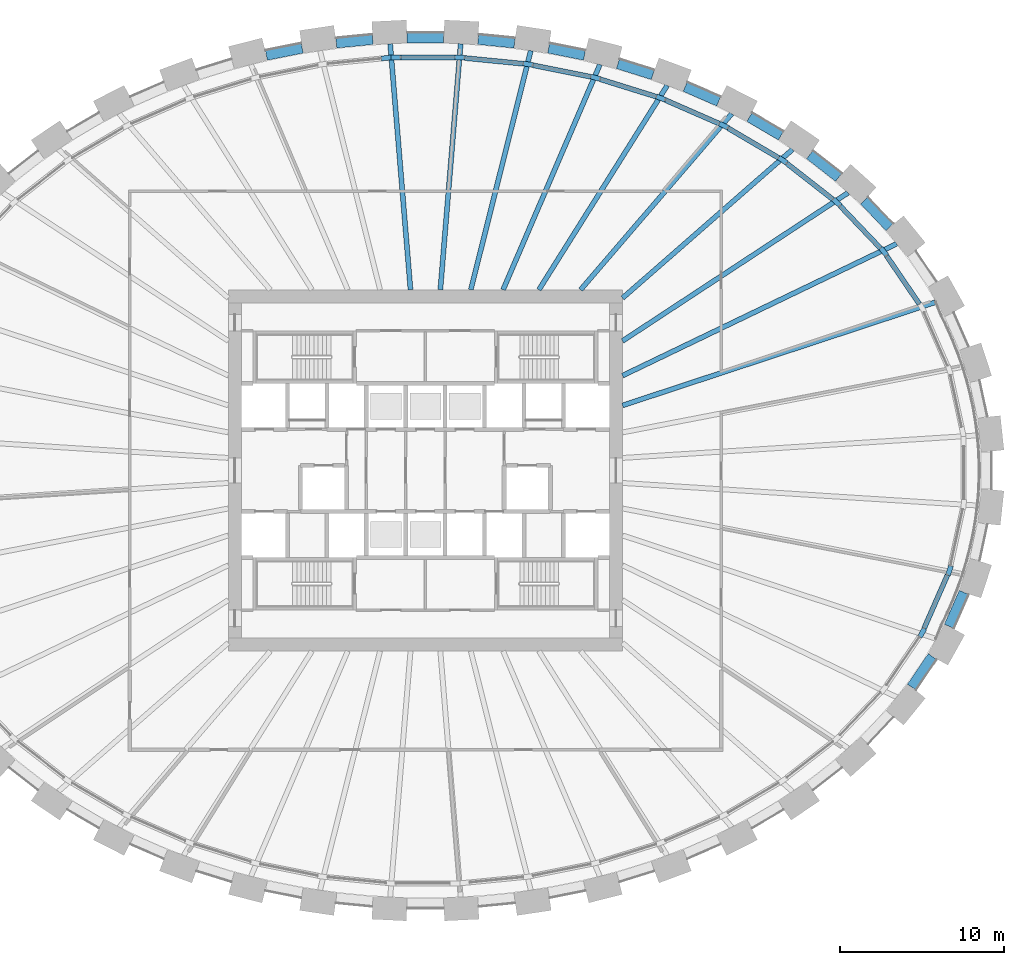
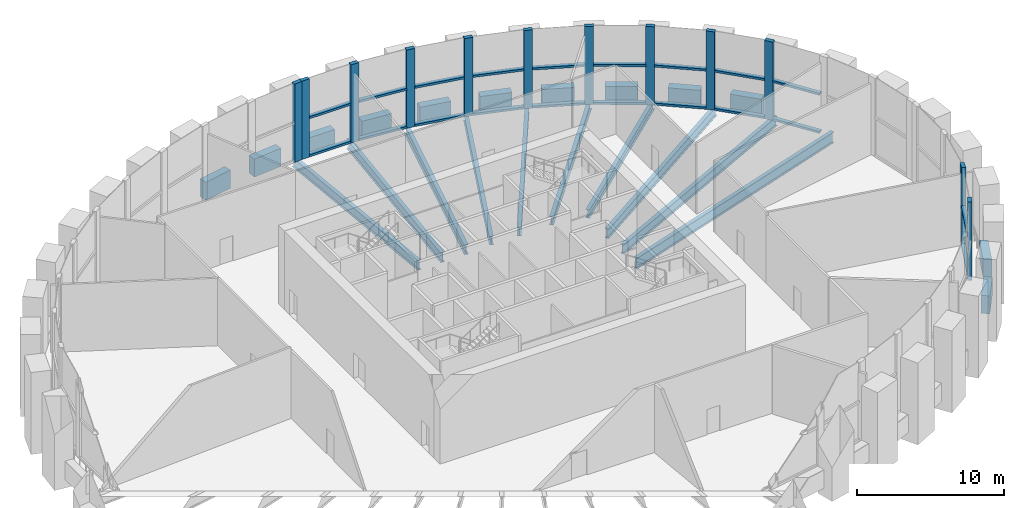
# One storey, part 4 of 16: 32 members, 22 beams, 3 elements without a shape of their own.
"""IFC4 building model written with IfcOpenShell, lengths in metres."""

import ifcopenshell
import ifcopenshell.guid

model = None  # the IFC model being written
_history = None  # IfcOwnerHistory: only IFC2X3 demands one
_inside = {}  # id of a spatial element -> (the spatial element, [elements in it])
_under = {}  # id of a project, library or spatial element -> (it, [spatial elements below it])
_declared = {}  # id of a project -> (the project, [libraries it declares])
_typed = {}  # id of a type object -> (the type object, [elements of that type])
_made_of = {}  # id of a material, layer set ... -> (it, [elements and type objects made of it])


def new_model(schema):
    """Start an empty IFC model of exactly this schema.

    Asked for "IFC4X3", IfcOpenShell would pick the latest addendum, in which some entities
    have other attributes; the version numbers below select the first issue.
    IFC2X3 requires an IfcOwnerHistory on every rooted entity: one is made here for all.
    """
    global model, _history
    if schema == "IFC4X3":
        model = ifcopenshell.file(schema_version=(4, 3, 0, 0))
    else:
        model = ifcopenshell.file(schema=schema)
    _inside.clear()
    _under.clear()
    _declared.clear()
    _typed.clear()
    _made_of.clear()
    _history = None
    if model.schema == "IFC2X3":
        org = make("IfcOrganization", Name="unknown")
        user = make(
            "IfcPersonAndOrganization",
            ThePerson=make("IfcPerson", FamilyName="unknown"),
            TheOrganization=org,
        )
        app = make(
            "IfcApplication",
            ApplicationDeveloper=org,
            Version="unknown",
            ApplicationFullName="unknown",
            ApplicationIdentifier="unknown",
        )
        _history = make(
            "IfcOwnerHistory",
            OwningUser=user,
            OwningApplication=app,
            ChangeAction="ADDED",
            CreationDate=0,
        )
    return model


def make(cls, **values):
    """One entity of the class cls with the attributes given. An attribute that is None is left unset."""
    return model.create_entity(
        cls, **{name: value for name, value in values.items() if value is not None}
    )


def rooted(cls, **values):
    """An entity with a GlobalId (a new one), such as an element, a storey or a relation."""
    return make(cls, GlobalId=ifcopenshell.guid.new(), OwnerHistory=_history, **values)


def si_unit(unit_type, name, prefix=None):
    """IfcSIUnit, for example si_unit("LENGTHUNIT", "METRE", prefix="MILLI")."""
    return make("IfcSIUnit", UnitType=unit_type, Prefix=prefix, Name=name)


def assignment(units):
    """IfcUnitAssignment: the units of a project."""
    return None if units is None else make("IfcUnitAssignment", Units=units)


def point(xyz):
    """IfcCartesianPoint."""
    return None if xyz is None else make("IfcCartesianPoint", Coordinates=xyz)


def direction(xyz):
    """IfcDirection."""
    return None if xyz is None else make("IfcDirection", DirectionRatios=xyz)


def frame(location, z_axis=None, x_axis=None):
    """IfcAxis2Placement3D, a coordinate frame: its origin and axes. An axis left out is left unset."""
    return make(
        "IfcAxis2Placement3D",
        Location=point(location),
        Axis=direction(z_axis),
        RefDirection=direction(x_axis),
    )


def frame_2d(location, x_axis=None):
    """IfcAxis2Placement2D, a coordinate frame in the plane: its origin and x axis."""
    return make(
        "IfcAxis2Placement2D", Location=point(location), RefDirection=direction(x_axis)
    )


def origin():
    """The frame at (0, 0, 0) with its axes left unset."""
    return frame((0.0, 0.0, 0.0))


def origin_2d():
    """The frame at (0, 0) in the plane with its x axis left unset."""
    return frame_2d((0.0, 0.0))


def place(relative_to, where):
    """IfcLocalPlacement: puts the frame where relative to a parent placement (None: the world)."""
    return make(
        "IfcLocalPlacement", PlacementRelTo=relative_to, RelativePlacement=where
    )


def context(
    kind, dimensions, precision=None, world=None, true_north=None, identifier=None
):
    """IfcGeometricRepresentationContext, for example the 3D "Model" context."""
    return make(
        "IfcGeometricRepresentationContext",
        ContextIdentifier=identifier,
        ContextType=kind,
        CoordinateSpaceDimension=dimensions,
        Precision=precision,
        WorldCoordinateSystem=world,
        TrueNorth=true_north,
    )


def subcontext(parent, identifier, kind, view, scale=None):
    """IfcGeometricRepresentationSubContext, for example "Body" below "Model"."""
    return make(
        "IfcGeometricRepresentationSubContext",
        ContextIdentifier=identifier,
        ContextType=kind,
        ParentContext=parent,
        TargetScale=scale,
        TargetView=view,
    )


def project(units=None, contexts=None):
    """IfcProject with its units and contexts."""
    return rooted(
        "IfcProject",
        Name="project",
        RepresentationContexts=contexts,
        UnitsInContext=assignment(units),
    )


def spatial(cls, under=None, at=None, **own):
    """A site, building, storey or space (cls), placed at a placement, below another one or the project."""
    s = rooted(cls, ObjectPlacement=at, **own)
    if under is not None:
        _under.setdefault(under.id(), (under, []))[1].append(s)
    return s


def profile(cls, at=None, kind="AREA", **sizes):
    """A parametric profile (cls). Its sizes go by their IFC names, for example OverallWidth=200.0."""
    return make(cls, ProfileType=kind, Position=at, **sizes)


def rectangle(**sizes):
    """IfcRectangleProfileDef."""
    return profile("IfcRectangleProfileDef", **sizes)


def i_section(**sizes):
    """IfcIShapeProfileDef."""
    return profile("IfcIShapeProfileDef", **sizes)


def extrude(swept, where, along, depth):
    """IfcExtrudedAreaSolid: the profile swept, set in the frame where, extruded along a direction by depth."""
    return make(
        "IfcExtrudedAreaSolid",
        SweptArea=swept,
        Position=where,
        ExtrudedDirection=direction(along),
        Depth=depth,
    )


def shape(context_of_items, identifier, shape_type, items):
    """IfcShapeRepresentation: the items that make up one representation, for example the "Body"."""
    return make(
        "IfcShapeRepresentation",
        ContextOfItems=context_of_items,
        RepresentationIdentifier=identifier,
        RepresentationType=shape_type,
        Items=items,
    )


def source(mapping_origin, context_of_items, identifier, shape_type, items):
    """IfcRepresentationMap: a shape defined once, which mapped items show again and again."""
    return make(
        "IfcRepresentationMap",
        MappingOrigin=mapping_origin,
        MappedRepresentation=shape(context_of_items, identifier, shape_type, items),
    )


def transform(
    local_origin,
    x_axis=None,
    y_axis=None,
    z_axis=None,
    scale=None,
    scale2=None,
    scale3=None,
    uniform=True,
):
    """IfcCartesianTransformationOperator3D, or its non-uniform kind. x_axis, y_axis, z_axis: its Axis1, 2, 3."""
    if uniform:
        return make(
            "IfcCartesianTransformationOperator3D",
            Axis1=direction(x_axis),
            Axis2=direction(y_axis),
            LocalOrigin=point(local_origin),
            Scale=scale,
            Axis3=direction(z_axis),
        )
    return make(
        "IfcCartesianTransformationOperator3DnonUniform",
        Axis1=direction(x_axis),
        Axis2=direction(y_axis),
        LocalOrigin=point(local_origin),
        Scale=scale,
        Axis3=direction(z_axis),
        Scale2=scale2,
        Scale3=scale3,
    )


def mapped(mapping_source, mapping_target):
    """IfcMappedItem: shows the shape of a source again, moved by a transform."""
    return make(
        "IfcMappedItem", MappingSource=mapping_source, MappingTarget=mapping_target
    )


def material(Name=None, Category=None):
    """IfcMaterial."""
    return make("IfcMaterial", Name=Name, Category=Category)


def material_profile(
    of_material, cross_section, Name=None, Category=None, Priority=None
):
    """IfcMaterialProfile: a cross section and its material."""
    return make(
        "IfcMaterialProfile",
        Name=Name,
        Material=of_material,
        Profile=cross_section,
        Priority=Priority,
        Category=Category,
    )


def profile_set(profiles, Name=None, composite=None):
    """IfcMaterialProfileSet."""
    return make(
        "IfcMaterialProfileSet",
        Name=Name,
        MaterialProfiles=profiles,
        CompositeProfile=composite,
    )


def made_of(thing, what):
    """Note that an element or type object is made of a material, layer set ...; save() writes the relation."""
    if what is not None:
        _made_of.setdefault(what.id(), (what, []))[1].append(thing)
    return thing


def type_object(cls, material=None, **own):
    """A type object (cls), such as IfcWallType, which elements share."""
    return made_of(rooted(cls, **own), material)


def element(
    cls,
    number,
    at=None,
    inside=None,
    cuts=None,
    type_object=None,
    material=None,
    context=None,
    identifier="Body",
    shape_type=None,
    held_by="IfcProductDefinitionShape",
    body=None,
    shapes=None,
    **own,
):
    """One element of the class cls, such as IfcWall. Its Tag is "e" and its number.

    at: its placement. inside: the storey or other place that contains it. cuts: it is an
    opening in that element (IfcRelVoidsElement). A single representation is given by context,
    identifier, shape_type and body (its items); several are given by shapes. held_by: the class
    of the entity that holds the representations. save() writes the other relations.
    """
    e = rooted(cls, Tag="e%d" % number, ObjectPlacement=at, **own)
    if body is not None:
        shapes = [shape(context, identifier, shape_type, body)]
    if shapes is not None:
        e.Representation = make(held_by, Representations=shapes)
    if inside is not None:
        _inside.setdefault(inside.id(), (inside, []))[1].append(e)
    if cuts is not None:
        rooted(
            "IfcRelVoidsElement", RelatingBuildingElement=cuts, RelatedOpeningElement=e
        )
    if type_object is not None:
        _typed.setdefault(type_object.id(), (type_object, []))[1].append(e)
    return made_of(e, material)


def aggregate(whole, parts):
    """IfcRelAggregates: a whole, such as a stair, and the parts it consists of."""
    return rooted("IfcRelAggregates", RelatingObject=whole, RelatedObjects=parts)


def save(model, path):
    """Write the relations noted so far, then the file.

    IfcRelAggregates (storeys below a building ...), IfcRelContainedInSpatialStructure (elements
    in a storey), IfcRelDefinesByType, IfcRelAssociatesMaterial and IfcRelDeclares: one each for
    every whole, place, type object, material and project.
    """
    for whole, parts in _under.values():
        aggregate(whole, parts)
    for where, things in _inside.values():
        rooted(
            "IfcRelContainedInSpatialStructure",
            RelatedElements=things,
            RelatingStructure=where,
        )
    for kind, things in _typed.values():
        rooted("IfcRelDefinesByType", RelatedObjects=things, RelatingType=kind)
    for what, things in _made_of.values():
        rooted("IfcRelAssociatesMaterial", RelatedObjects=things, RelatingMaterial=what)
    for by, libraries in _declared.values():
        rooted("IfcRelDeclares", RelatingContext=by, RelatedDefinitions=libraries)
    model.write(path)


model = new_model("IFC4")

# Units and contexts
model_context = context("Model", 3, precision=1e-05, world=origin(), true_north=direction((0.0, 1.0)))
body_context = subcontext(model_context, "Body", "Model", "MODEL_VIEW")
ifc_project = project(units=[si_unit("LENGTHUNIT", "METRE"), si_unit("AREAUNIT", "SQUARE_METRE"), si_unit("VOLUMEUNIT", "CUBIC_METRE"), si_unit("PLANEANGLEUNIT", "RADIAN"), si_unit("MASSUNIT", "GRAM", prefix="KILO")], contexts=[model_context])

# Site, building, storey
site_placement = place(None, origin())
site = spatial("IfcSite", under=ifc_project, at=site_placement, CompositionType="ELEMENT")
building_placement = place(site_placement, origin())
building = spatial("IfcBuilding", under=site, at=building_placement, Name="Embergate Tower", CompositionType="ELEMENT")
storey_placement = place(building_placement, frame((0.0, 0.0, 234.60009765625)))
storey = spatial("IfcBuildingStorey", under=building, at=storey_placement, Name="L54", CompositionType="ELEMENT", Elevation=234.60009765625)

# Beams
ifc_material_1 = material(Name="Concrete C60", Category="concrete")
ifc_material_profile_1 = material_profile(ifc_material_1, rectangle(XDim=0.60009765625, YDim=1.5, at=origin_2d()), Name="RC 600x1500")
ifc_profile_set_1 = profile_set([ifc_material_profile_1], Name="Concrete C60")
beam_type_1 = type_object("IfcBeamType", Name="Spandrel beam RC 600x1500 C60", PredefinedType="BEAM", material=ifc_profile_set_1)
shared_shape_1 = source(origin(), body_context, "Body", "SweptSolid", [
    extrude(rectangle(XDim=0.60009765625, YDim=1.5, at=origin_2d()), origin(), (0.0, 0.0, 1.0), 2.252685546875),
])
beam_1_placement = place(storey_placement, frame((31.868896484375, -9.48388671875, 0.0), z_axis=(0.401739626426, 0.915753936688, 0.0), x_axis=(-0.915753936688, 0.401739626426, 0.0)))
element("IfcBeam", 1, at=beam_1_placement, inside=storey, type_object=beam_type_1, Name="SPN-L54-41", PredefinedType="BEAM", context=body_context, shape_type="MappedRepresentation", body=[
    mapped(shared_shape_1, transform((0.0, 0.0, 0.0))),
])
shared_shape_2 = source(origin(), body_context, "Body", "SweptSolid", [
    extrude(rectangle(XDim=0.60009765625, YDim=1.5, at=origin_2d()), origin(), (0.0, 0.0, 1.0), 2.247802734375),
])
beam_2_placement = place(storey_placement, frame((29.589111328125, -13.180908203125, 0.0), z_axis=(0.562271401441, 0.826952762328, 0.0), x_axis=(-0.826952762328, 0.562271401441, 0.0)))
element("IfcBeam", 2, at=beam_2_placement, inside=storey, type_object=beam_type_1, Name="SPN-L54-40", PredefinedType="BEAM", context=body_context, shape_type="MappedRepresentation", body=[
    mapped(shared_shape_2, transform((0.0, 0.0, 0.0))),
])
shared_shape_3 = source(origin(), body_context, "Body", "SweptSolid", [
    extrude(rectangle(XDim=0.60009765625, YDim=1.5, at=origin_2d()), origin(), (0.0, 0.0, 1.0), 2.24072265625),
])
beam_3_placement = place(storey_placement, frame((28.25390625, 14.802001953125, 0.0), z_axis=(-0.690351348843, 0.723474267096, 0.0), x_axis=(-0.723474267096, -0.690351348843, 0.0)))
element("IfcBeam", 3, at=beam_3_placement, inside=storey, type_object=beam_type_1, Name="SPN-L54-03", PredefinedType="BEAM", context=body_context, shape_type="MappedRepresentation", body=[
    mapped(shared_shape_3, transform((0.0, 0.0, 0.0))),
])
shared_shape_4 = source(origin(), body_context, "Body", "SweptSolid", [
    extrude(rectangle(XDim=0.60009765625, YDim=1.5, at=origin_2d()), origin(), (0.0, 0.0, 1.0), 2.23583984375),
])
beam_4_placement = place(storey_placement, frame((25.15087890625, 17.8330078125, 0.0), z_axis=(-0.788522428972, 0.615005999165, 0.0), x_axis=(-0.615005999165, -0.788522428972, 0.0)))
element("IfcBeam", 4, at=beam_4_placement, inside=storey, type_object=beam_type_1, Name="SPN-L54-04", PredefinedType="BEAM", context=body_context, shape_type="MappedRepresentation", body=[
    mapped(shared_shape_4, transform((0.0, 0.0, 0.0))),
])
shared_shape_5 = source(origin(), body_context, "Body", "SweptSolid", [
    extrude(rectangle(XDim=0.60009765625, YDim=1.5, at=origin_2d()), origin(), (0.0, 0.0, 1.0), 2.230224609375),
])
beam_5_placement = place(storey_placement, frame((21.639892578125, 20.3720703125, 0.0), z_axis=(-0.862170504971, 0.506618219528, 0.0), x_axis=(-0.506618219528, -0.862170504971, 0.0)))
element("IfcBeam", 5, at=beam_5_placement, inside=storey, type_object=beam_type_1, Name="SPN-L54-05", PredefinedType="BEAM", context=body_context, shape_type="MappedRepresentation", body=[
    mapped(shared_shape_5, transform((0.0, 0.0, 0.0))),
])
shared_shape_6 = source(origin(), body_context, "Body", "SweptSolid", [
    extrude(rectangle(XDim=0.60009765625, YDim=1.5, at=origin_2d()), origin(), (0.0, 0.0, 1.0), 2.2275390625),
])
beam_6_placement = place(storey_placement, frame((17.846923828125, 22.45703125, 0.0), z_axis=(-0.916298147751, 0.400496821995, 0.0), x_axis=(-0.400496821995, -0.916298147751, 0.0)))
element("IfcBeam", 6, at=beam_6_placement, inside=storey, type_object=beam_type_1, Name="SPN-L54-06", PredefinedType="BEAM", context=body_context, shape_type="MappedRepresentation", body=[
    mapped(shared_shape_6, transform((0.0, 0.0, 0.0))),
])
shared_shape_7 = source(origin(), body_context, "Body", "SweptSolid", [
    extrude(rectangle(XDim=0.60009765625, YDim=1.5, at=origin_2d()), origin(), (0.0, 0.0, 1.0), 2.225830078125),
])
beam_7_placement = place(storey_placement, frame((13.839111328125, 24.0830078125, 0.0), z_axis=(-0.954729467786, 0.297475449981, 0.0), x_axis=(-0.297475449981, -0.954729467786, 0.0)))
element("IfcBeam", 7, at=beam_7_placement, inside=storey, type_object=beam_type_1, Name="SPN-L54-07", PredefinedType="BEAM", context=body_context, shape_type="MappedRepresentation", body=[
    mapped(shared_shape_7, transform((0.0, 0.0, 0.0))),
])
shared_shape_8 = source(origin(), body_context, "Body", "SweptSolid", [
    extrude(rectangle(XDim=0.60009765625, YDim=1.5, at=origin_2d()), origin(), (0.0, 0.0, 1.0), 2.223388671875),
])
for number, where, z_axis, x_axis, name in (
    (8, (9.678955078125, 25.264892578125, 0.0), (-0.980491882867, 0.196559577817, 0.0), (-0.196559577817, -0.980491882867, 0.0), "SPN-L54-08"),
    (9, (-7.4990234375, 25.701904296875, 0.0), (-0.980491882867, -0.196559577817, 0.0), (0.196559577817, -0.980491882867, 0.0), "SPN-L54-12"),
):
    element("IfcBeam", number, at=place(storey_placement, frame(where, z_axis=z_axis, x_axis=x_axis)), inside=storey, type_object=beam_type_1, Name=name, PredefinedType="BEAM", context=body_context, shape_type="MappedRepresentation", body=[
        mapped(shared_shape_8, transform((0.0, 0.0, 0.0))),
    ])
shared_shape_9 = source(origin(), body_context, "Body", "SweptSolid", [
    extrude(rectangle(XDim=0.60009765625, YDim=1.5, at=origin_2d()), origin(), (0.0, 0.0, 1.0), 2.223876953125),
])
for number, where, z_axis, x_axis, name in (
    (10, (5.422119140625, 26.010986328125, 0.0), (-0.99518284786, 0.098036214356, 0.0), (-0.098036214356, -0.99518284786, 0.0), "SPN-L54-09"),
    (11, (-3.208984375, 26.22900390625, 0.0), (-0.99518284786, -0.098036214356, 0.0), (0.098036214356, -0.99518284786, 0.0), "SPN-L54-11"),
):
    element("IfcBeam", number, at=place(storey_placement, frame(where, z_axis=z_axis, x_axis=x_axis)), inside=storey, type_object=beam_type_1, Name=name, PredefinedType="BEAM", context=body_context, shape_type="MappedRepresentation", body=[
        mapped(shared_shape_9, transform((0.0, 0.0, 0.0))),
    ])
shared_shape_10 = source(origin(), body_context, "Body", "SweptSolid", [
    extrude(rectangle(XDim=0.60009765625, YDim=1.5, at=origin_2d()), origin(), (0.0, 0.0, 1.0), 2.22216796875),
])
beam_8_placement = place(storey_placement, frame((1.111083984375, 26.33203125, 0.0), z_axis=(-1.0, 0.0, 0.0), x_axis=(0.0, -1.0, 0.0)))
element("IfcBeam", 12, at=beam_8_placement, inside=storey, type_object=beam_type_1, Name="SPN-L54-10", PredefinedType="BEAM", context=body_context, shape_type="MappedRepresentation", body=[
    mapped(shared_shape_10, transform((0.0, 0.0, 0.0))),
])
ifc_material_2 = material(Name="Steel Q355B", Category="steel")
ifc_material_profile_2 = material_profile(ifc_material_2, i_section(OverallWidth=0.300048828125, OverallDepth=0.89990234375, WebThickness=0.01611328125, FlangeThickness=0.028076171875, FilletRadius=0.028076171875, at=origin_2d()), Name="HN 900x300x16x28")
ifc_profile_set_2 = profile_set([ifc_material_profile_2], Name="Steel Q355 grade B")
beam_type_2 = type_object("IfcBeamType", Name="Radial girder HN 900x300x16x28", PredefinedType="BEAM", material=ifc_profile_set_2)
shared_shape_11 = source(origin(), body_context, "Body", "SweptSolid", [
    extrude(i_section(OverallWidth=0.300048828125, OverallDepth=0.89990234375, WebThickness=0.01611328125, FlangeThickness=0.028076171875, FilletRadius=0.028076171875, at=origin_2d()), origin(), (0.0, 0.0, 1.0), 20.1064453125),
])
beam_9_placement = place(storey_placement, frame((31.094970703125, 10.25390625, -0.75), z_axis=(-0.949694718682, -0.313177172391, 0.0), x_axis=(0.313177172391, -0.949694718682, 0.0)))
element("IfcBeam", 13, at=beam_9_placement, inside=storey, type_object=beam_type_2, Name="GIR-L54-02", PredefinedType="BEAM", context=body_context, shape_type="MappedRepresentation", body=[
    mapped(shared_shape_11, transform((0.0, 0.0, 0.0))),
])
ifc_material_profile_3 = material_profile(ifc_material_2, i_section(OverallWidth=0.300048828125, OverallDepth=0.800048828125, WebThickness=0.013916015625, FlangeThickness=0.02587890625, FilletRadius=0.028076171875, at=origin_2d()), Name="HN 800x300x14x26")
ifc_profile_set_3 = profile_set([ifc_material_profile_3], Name="Steel Q355 grade B")
beam_type_3 = type_object("IfcBeamType", Name="Radial girder HN 800x300x14x26", PredefinedType="BEAM", material=ifc_profile_set_3)
shared_shape_12 = source(origin(), body_context, "Body", "SweptSolid", [
    extrude(i_section(OverallWidth=0.300048828125, OverallDepth=0.800048828125, WebThickness=0.013916015625, FlangeThickness=0.02587890625, FilletRadius=0.028076171875, at=origin_2d()), origin(), (0.0, 0.0, 1.0), 18.51513671875),
])
beam_10_placement = place(storey_placement, frame((28.68505859375, 13.799072265625, -0.7001953125), z_axis=(-0.901158330665, -0.433490095704, 0.0), x_axis=(0.433490095704, -0.901158330665, 0.0)))
element("IfcBeam", 14, at=beam_10_placement, inside=storey, type_object=beam_type_3, Name="GIR-L54-03", PredefinedType="BEAM", context=body_context, shape_type="MappedRepresentation", body=[
    mapped(shared_shape_12, transform((0.0, 0.0, 0.0))),
])
shared_shape_13 = source(origin(), body_context, "Body", "SweptSolid", [
    extrude(i_section(OverallWidth=0.300048828125, OverallDepth=0.800048828125, WebThickness=0.013916015625, FlangeThickness=0.02587890625, FilletRadius=0.028076171875, at=origin_2d()), origin(), (0.0, 0.0, 1.0), 16.423583984375),
])
beam_11_placement = place(storey_placement, frame((25.72607421875, 16.902099609375, -0.7001953125), z_axis=(-0.835759275687, -0.549096014466, 0.0), x_axis=(0.549096014466, -0.835759275687, 0.0)))
element("IfcBeam", 15, at=beam_11_placement, inside=storey, type_object=beam_type_3, Name="GIR-L54-04", PredefinedType="BEAM", context=body_context, shape_type="MappedRepresentation", body=[
    mapped(shared_shape_13, transform((0.0, 0.0, 0.0))),
])
ifc_material_profile_4 = material_profile(ifc_material_2, i_section(OverallWidth=0.300048828125, OverallDepth=0.699951171875, WebThickness=0.012939453125, FlangeThickness=0.02392578125, FilletRadius=0.01806640625, at=origin_2d()), Name="HN 700x300x13x24")
ifc_profile_set_4 = profile_set([ifc_material_profile_4], Name="Steel Q355 grade B")
beam_type_4 = type_object("IfcBeamType", Name="Radial girder HN 700x300x13x24", PredefinedType="BEAM", material=ifc_profile_set_4)
shared_shape_14 = source(origin(), body_context, "Body", "SweptSolid", [
    extrude(i_section(OverallWidth=0.300048828125, OverallDepth=0.699951171875, WebThickness=0.012939453125, FlangeThickness=0.02392578125, FilletRadius=0.01806640625, at=origin_2d()), origin(), (0.0, 0.0, 1.0), 13.742431640625),
])
beam_12_placement = place(storey_placement, frame((22.344970703125, 19.5400390625, -0.650146484375), z_axis=(-0.75278245611, -0.658269377818, 0.0), x_axis=(0.658269377818, -0.75278245611, 0.0)))
element("IfcBeam", 16, at=beam_12_placement, inside=storey, type_object=beam_type_4, Name="GIR-L54-05", PredefinedType="BEAM", context=body_context, shape_type="MappedRepresentation", body=[
    mapped(shared_shape_14, transform((0.0, 0.0, 0.0))),
])
shared_shape_15 = source(origin(), body_context, "Body", "SweptSolid", [
    extrude(i_section(OverallWidth=0.300048828125, OverallDepth=0.699951171875, WebThickness=0.012939453125, FlangeThickness=0.02392578125, FilletRadius=0.01806640625, at=origin_2d()), origin(), (0.0, 0.0, 1.0), 14.12255859375),
])
beam_13_placement = place(storey_placement, frame((18.64697265625, 21.714111328125, -0.650146484375), z_axis=(-0.651501489493, -0.75864735496, 0.0), x_axis=(0.75864735496, -0.651501489493, 0.0)))
element("IfcBeam", 17, at=beam_13_placement, inside=storey, type_object=beam_type_4, Name="GIR-L54-06", PredefinedType="BEAM", context=body_context, shape_type="MappedRepresentation", body=[
    mapped(shared_shape_15, transform((0.0, 0.0, 0.0))),
])
shared_shape_16 = source(origin(), body_context, "Body", "SweptSolid", [
    extrude(i_section(OverallWidth=0.300048828125, OverallDepth=0.699951171875, WebThickness=0.012939453125, FlangeThickness=0.02392578125, FilletRadius=0.01806640625, at=origin_2d()), origin(), (0.0, 0.0, 1.0), 14.681640625),
])
beam_14_placement = place(storey_placement, frame((14.717041015625, 23.43310546875, -0.650146484375), z_axis=(-0.531830261052, -0.846850974747, 0.0), x_axis=(0.846850974747, -0.531830261052, 0.0)))
element("IfcBeam", 18, at=beam_14_placement, inside=storey, type_object=beam_type_4, Name="GIR-L54-07", PredefinedType="BEAM", context=body_context, shape_type="MappedRepresentation", body=[
    mapped(shared_shape_16, transform((0.0, 0.0, 0.0))),
])
shared_shape_17 = source(origin(), body_context, "Body", "SweptSolid", [
    extrude(i_section(OverallWidth=0.300048828125, OverallDepth=0.699951171875, WebThickness=0.012939453125, FlangeThickness=0.02392578125, FilletRadius=0.01806640625, at=origin_2d()), origin(), (0.0, 0.0, 1.0), 14.921630859375),
])
beam_15_placement = place(storey_placement, frame((10.62109375, 24.708984375, -0.650146484375), z_axis=(-0.394870881209, -0.918736625575, 0.0), x_axis=(0.918736625575, -0.394870881209, 0.0)))
element("IfcBeam", 19, at=beam_15_placement, inside=storey, type_object=beam_type_4, Name="GIR-L54-08", PredefinedType="BEAM", context=body_context, shape_type="MappedRepresentation", body=[
    mapped(shared_shape_17, transform((0.0, 0.0, 0.0))),
])
shared_shape_18 = source(origin(), body_context, "Body", "SweptSolid", [
    extrude(i_section(OverallWidth=0.300048828125, OverallDepth=0.800048828125, WebThickness=0.013916015625, FlangeThickness=0.02587890625, FilletRadius=0.028076171875, at=origin_2d()), origin(), (0.0, 0.0, 1.0), 15.00341796875),
])
beam_16_placement = place(storey_placement, frame((6.4150390625, 25.552001953125, -0.7001953125), z_axis=(-0.243481212882, -0.969905613435, 0.0), x_axis=(0.969905613435, -0.243481212882, 0.0)))
element("IfcBeam", 20, at=beam_16_placement, inside=storey, type_object=beam_type_3, Name="GIR-L54-09", PredefinedType="BEAM", context=body_context, shape_type="MappedRepresentation", body=[
    mapped(shared_shape_18, transform((0.0, 0.0, 0.0))),
])
shared_shape_19 = source(origin(), body_context, "Body", "SweptSolid", [
    extrude(i_section(OverallWidth=0.300048828125, OverallDepth=0.800048828125, WebThickness=0.013916015625, FlangeThickness=0.02587890625, FilletRadius=0.028076171875, at=origin_2d()), origin(), (0.0, 0.0, 1.0), 15.02294921875),
])
for number, where, z_axis, x_axis, name in (
    (21, (2.14501953125, 25.971923828125, -0.7001953125), (-0.08234475307, -0.996603904087, 0.0), (0.996603904087, -0.08234475307, 0.0), "GIR-L54-10"),
    (22, (-2.14501953125, 25.971923828125, -0.7001953125), (0.08234475307, -0.996603904087, 0.0), (0.996603904087, 0.08234475307, 0.0), "GIR-L54-11"),
):
    element("IfcBeam", number, at=place(storey_placement, frame(where, z_axis=z_axis, x_axis=x_axis)), inside=storey, type_object=beam_type_3, Name=name, PredefinedType="BEAM", context=body_context, shape_type="MappedRepresentation", body=[
        mapped(shared_shape_19, transform((0.0, 0.0, 0.0))),
    ])

# Curtain wall, members
ifc_material_3 = material(Name="Aluminium and glass", Category="aluminium")
curtain_wall_type = type_object("IfcCurtainWallType", Name="Sky lobby high glazing", PredefinedType="NOTDEFINED", material=ifc_material_3)
curtain_wall_1_placement = place(storey_placement, origin())
curtain_wall_1 = element("IfcCurtainWall", 23, at=curtain_wall_1_placement, inside=storey, type_object=curtain_wall_type, Name="Sky lobby high glazing run 1", ObjectType="SKY LOBBY HIGH GLAZING", PredefinedType="USERDEFINED")
ifc_material_4 = material(Name="Aluminium, thermally broken", Category="aluminium")
ifc_material_profile_5 = material_profile(ifc_material_4, rectangle(XDim=0.300048828125, YDim=0.60009765625, at=origin_2d()), Name="AL 600x300")
ifc_profile_set_5 = profile_set([ifc_material_profile_5], Name="Aluminium, thermally broken")
member_type_1 = type_object("IfcMemberType", Name="Sky lobby mullion", PredefinedType="MULLION", material=ifc_profile_set_5)
shared_shape_20 = source(origin(), body_context, "Body", "SweptSolid", [
    extrude(rectangle(XDim=0.300048828125, YDim=0.60009765625, at=origin_2d()), origin(), (0.0, 0.0, 1.0), 6.5),
])
member_1_placement = place(storey_placement, frame((27.907958984375, 13.309814453125, 0.0), z_axis=(0.0, 0.0, 1.0), x_axis=(-0.777858305711, -0.628439699762, 0.0)))
member_1 = element("IfcMember", 24, at=member_1_placement, type_object=member_type_1, Name="CW mullion 4", PredefinedType="MULLION", context=body_context, shape_type="MappedRepresentation", body=[
    mapped(shared_shape_20, transform((0.0, 0.0, 0.0))),
])
member_2_placement = place(storey_placement, frame((25.041015625, 16.316162109375, 0.0), z_axis=(0.0, 0.0, 1.0), x_axis=(-0.67121489031, -0.741262821829, 0.0)))
member_2 = element("IfcMember", 25, at=member_2_placement, type_object=member_type_1, Name="CW mullion 5", PredefinedType="MULLION", context=body_context, shape_type="MappedRepresentation", body=[
    mapped(shared_shape_20, transform((0.0, 0.0, 0.0))),
])
member_3_placement = place(storey_placement, frame((21.759765625, 18.877197265625, 0.0), z_axis=(0.0, 0.0, 1.0), x_axis=(-0.562207514921, -0.82699619719, 0.0)))
member_3 = element("IfcMember", 26, at=member_3_placement, type_object=member_type_1, Name="CW mullion 6", PredefinedType="MULLION", context=body_context, shape_type="MappedRepresentation", body=[
    mapped(shared_shape_20, transform((0.0, 0.0, 0.0))),
])
member_4_placement = place(storey_placement, frame((18.16552734375, 20.989990234375, 0.0), z_axis=(0.0, 0.0, 1.0), x_axis=(-0.454503607328, -0.89074489666, 0.0)))
member_4 = element("IfcMember", 27, at=member_4_placement, type_object=member_type_1, Name="CW mullion 7", PredefinedType="MULLION", context=body_context, shape_type="MappedRepresentation", body=[
    mapped(shared_shape_20, transform((0.0, 0.0, 0.0))),
])
member_5_placement = place(storey_placement, frame((14.341064453125, 22.66259765625, 0.0), z_axis=(0.0, 0.0, 1.0), x_axis=(-0.349497777064, -0.936937193107, 0.0)))
member_5 = element("IfcMember", 28, at=member_5_placement, type_object=member_type_1, Name="CW mullion 8", PredefinedType="MULLION", context=body_context, shape_type="MappedRepresentation", body=[
    mapped(shared_shape_20, transform((0.0, 0.0, 0.0))),
])
member_6_placement = place(storey_placement, frame((10.351806640625, 23.90478515625, 0.0), z_axis=(0.0, 0.0, 1.0), x_axis=(-0.247308499144, -0.96893679167, 0.0)))
member_6 = element("IfcMember", 29, at=member_6_placement, type_object=member_type_1, Name="CW mullion 9", PredefinedType="MULLION", context=body_context, shape_type="MappedRepresentation", body=[
    mapped(shared_shape_20, transform((0.0, 0.0, 0.0))),
])
member_7_placement = place(storey_placement, frame((6.253173828125, 24.726806640625, 0.0), z_axis=(0.0, 0.0, 1.0), x_axis=(-0.147410656556, -0.989075375456, 0.0)))
member_7 = element("IfcMember", 30, at=member_7_placement, type_object=member_type_1, Name="CW mullion 10", PredefinedType="MULLION", context=body_context, shape_type="MappedRepresentation", body=[
    mapped(shared_shape_20, transform((0.0, 0.0, 0.0))),
])
member_8_placement = place(storey_placement, frame((2.09130859375, 25.135986328125, 0.0), z_axis=(0.0, 0.0, 1.0), x_axis=(-0.048970053385, -0.998800247232, 0.0)))
member_8 = element("IfcMember", 31, at=member_8_placement, type_object=member_type_1, Name="CW mullion 11", PredefinedType="MULLION", context=body_context, shape_type="MappedRepresentation", body=[
    mapped(shared_shape_20, transform((0.0, 0.0, 0.0))),
])
member_9_placement = place(storey_placement, frame((-1.791259765625, 25.135986328125, 0.0), z_axis=(0.0, 0.0, 1.0), x_axis=(0.0, -1.0, 0.0)))
member_9 = element("IfcMember", 32, at=member_9_placement, type_object=member_type_1, Name="CW mullion 12", PredefinedType="MULLION", context=body_context, shape_type="MappedRepresentation", body=[
    mapped(shared_shape_20, transform((0.0, 0.0, 0.0))),
])

# Curtain wall, member
curtain_wall_2_placement = place(storey_placement, origin())
curtain_wall_2 = element("IfcCurtainWall", 33, at=curtain_wall_2_placement, inside=storey, type_object=curtain_wall_type, Name="Sky lobby high glazing run 2", ObjectType="SKY LOBBY HIGH GLAZING", PredefinedType="USERDEFINED")
member_10_placement = place(storey_placement, frame((-2.389892578125, 25.106689453125, 0.0), z_axis=(0.0, 0.0, 1.0), x_axis=(0.097829550688, -0.995203184788, 0.0)))
member_10 = element("IfcMember", 34, at=member_10_placement, type_object=member_type_1, Name="CW mullion 1", PredefinedType="MULLION", context=body_context, shape_type="MappedRepresentation", body=[
    mapped(shared_shape_20, transform((0.0, 0.0, 0.0))),
])
aggregate(curtain_wall_2, [member_10])

# Curtain wall, members
curtain_wall_3_placement = place(storey_placement, origin())
curtain_wall_3 = element("IfcCurtainWall", 35, at=curtain_wall_3_placement, inside=storey, type_object=curtain_wall_type, Name="Sky lobby high glazing run 4", ObjectType="SKY LOBBY HIGH GLAZING", PredefinedType="USERDEFINED")
member_11_placement = place(storey_placement, frame((30.238525390625, -9.8828125, 0.0), z_axis=(0.0, 0.0, 1.0), x_axis=(-0.874989221314, 0.484142399078, 0.0)))
member_11 = element("IfcMember", 36, at=member_11_placement, type_object=member_type_1, Name="CW mullion 9", PredefinedType="MULLION", context=body_context, shape_type="MappedRepresentation", body=[
    mapped(shared_shape_20, transform((0.0, 0.0, 0.0))),
])
member_12_placement = place(storey_placement, frame((31.899169921875, -6.096435546875, 0.0), z_axis=(0.0, 0.0, 1.0), x_axis=(-0.951490817264, 0.307677143547, 0.0)))
member_12 = element("IfcMember", 37, at=member_12_placement, type_object=member_type_1, Name="CW mullion 10", PredefinedType="MULLION", context=body_context, shape_type="MappedRepresentation", body=[
    mapped(shared_shape_20, transform((0.0, 0.0, 0.0))),
])
ifc_material_profile_6 = material_profile(ifc_material_4, rectangle(XDim=0.300048828125, YDim=0.179931640625, at=origin_2d()), Name="AL 180x300")
ifc_profile_set_6 = profile_set([ifc_material_profile_6], Name="Aluminium, thermally broken")
member_type_2 = type_object("IfcMemberType", Name="Sky lobby transom", PredefinedType="USERDEFINED", material=ifc_profile_set_6)
shared_shape_21 = source(origin(), body_context, "Body", "SweptSolid", [
    extrude(rectangle(XDim=0.300048828125, YDim=0.179931640625, at=origin_2d()), origin(), (0.0, 0.0, 1.0), 3.53466796875),
])
member_13_placement = place(storey_placement, frame((30.35888671875, -9.608154296875, 0.08984375), z_axis=(0.401699095229, 0.915771716582, 0.0), x_axis=(-0.915771716582, 0.401699095229, 0.0)))
member_13 = element("IfcMember", 38, at=member_13_placement, type_object=member_type_2, Name="CW transom 9.1", ObjectType="TRANSOM", PredefinedType="USERDEFINED", context=body_context, shape_type="MappedRepresentation", body=[
    mapped(shared_shape_21, transform((0.0, 0.0, 0.0))),
])
member_14_placement = place(storey_placement, frame((30.35888671875, -9.608154296875, 3.25), z_axis=(0.401699095229, 0.915771716582, 0.0), x_axis=(-0.915771716582, 0.401699095229, 0.0)))
member_14 = element("IfcMember", 39, at=member_14_placement, type_object=member_type_2, Name="CW transom 9.2", ObjectType="TRANSOM", PredefinedType="USERDEFINED", context=body_context, shape_type="MappedRepresentation", body=[
    mapped(shared_shape_21, transform((0.0, 0.0, 0.0))),
])
aggregate(curtain_wall_3, [member_11, member_12, member_13, member_14])

# Member
shared_shape_22 = source(origin(), body_context, "Body", "SweptSolid", [
    extrude(rectangle(XDim=0.300048828125, YDim=0.179931640625, at=origin_2d()), origin(), (0.0, 0.0, 1.0), 3.54443359375),
])
member_15_placement = place(storey_placement, frame((30.06982421875, 10.130859375, 0.08984375), z_axis=(-0.562338281571, 0.826907284452, 0.0), x_axis=(-0.826907284452, -0.562338281571, 0.0)))
member_15 = element("IfcMember", 40, at=member_15_placement, type_object=member_type_2, Name="CW transom 3.1", ObjectType="TRANSOM", PredefinedType="USERDEFINED", context=body_context, shape_type="MappedRepresentation", body=[
    mapped(shared_shape_22, transform((0.0, 0.0, 0.0))),
])

member_16_placement = place(storey_placement, frame((30.06982421875, 10.130859375, 3.25), z_axis=(-0.562338281571, 0.826907284452, 0.0), x_axis=(-0.826907284452, -0.562338281571, 0.0)))
member_16 = element("IfcMember", 41, at=member_16_placement, type_object=member_type_2, Name="CW transom 3.2", ObjectType="TRANSOM", PredefinedType="USERDEFINED", context=body_context, shape_type="MappedRepresentation", body=[
    mapped(shared_shape_22, transform((0.0, 0.0, 0.0))),
])

shared_shape_23 = source(origin(), body_context, "Body", "SweptSolid", [
    extrude(rectangle(XDim=0.300048828125, YDim=0.179931640625, at=origin_2d()), origin(), (0.0, 0.0, 1.0), 3.55419921875),
])
member_17_placement = place(storey_placement, frame((27.700927734375, 13.527099609375, 0.08984375), z_axis=(-0.690147291227, 0.72366892735, 0.0), x_axis=(-0.72366892735, -0.690147291227, 0.0)))
member_17 = element("IfcMember", 42, at=member_17_placement, type_object=member_type_2, Name="CW transom 4.1", ObjectType="TRANSOM", PredefinedType="USERDEFINED", context=body_context, shape_type="MappedRepresentation", body=[
    mapped(shared_shape_23, transform((0.0, 0.0, 0.0))),
])

member_18_placement = place(storey_placement, frame((27.700927734375, 13.527099609375, 3.25), z_axis=(-0.690147291227, 0.72366892735, 0.0), x_axis=(-0.72366892735, -0.690147291227, 0.0)))
member_18 = element("IfcMember", 43, at=member_18_placement, type_object=member_type_2, Name="CW transom 4.2", ObjectType="TRANSOM", PredefinedType="USERDEFINED", context=body_context, shape_type="MappedRepresentation", body=[
    mapped(shared_shape_23, transform((0.0, 0.0, 0.0))),
])

shared_shape_24 = source(origin(), body_context, "Body", "SweptSolid", [
    extrude(rectangle(XDim=0.300048828125, YDim=0.179931640625, at=origin_2d()), origin(), (0.0, 0.0, 1.0), 3.562255859375),
])
member_19_placement = place(storey_placement, frame((24.804443359375, 16.500732421875, 0.08984375), z_axis=(-0.78834740186, 0.615230342214, 0.0), x_axis=(-0.615230342214, -0.78834740186, 0.0)))
member_19 = element("IfcMember", 44, at=member_19_placement, type_object=member_type_2, Name="CW transom 5.1", ObjectType="TRANSOM", PredefinedType="USERDEFINED", context=body_context, shape_type="MappedRepresentation", body=[
    mapped(shared_shape_24, transform((0.0, 0.0, 0.0))),
])

member_20_placement = place(storey_placement, frame((24.804443359375, 16.500732421875, 3.25), z_axis=(-0.78834740186, 0.615230342214, 0.0), x_axis=(-0.615230342214, -0.78834740186, 0.0)))
member_20 = element("IfcMember", 45, at=member_20_placement, type_object=member_type_2, Name="CW transom 5.2", ObjectType="TRANSOM", PredefinedType="USERDEFINED", context=body_context, shape_type="MappedRepresentation", body=[
    mapped(shared_shape_24, transform((0.0, 0.0, 0.0))),
])

shared_shape_25 = source(origin(), body_context, "Body", "SweptSolid", [
    extrude(rectangle(XDim=0.300048828125, YDim=0.179931640625, at=origin_2d()), origin(), (0.0, 0.0, 1.0), 3.5693359375),
])
member_21_placement = place(storey_placement, frame((21.501220703125, 19.029052734375, 0.08984375), z_axis=(-0.86203969711, 0.506840764547, 0.0), x_axis=(-0.506840764547, -0.86203969711, 0.0)))
member_21 = element("IfcMember", 46, at=member_21_placement, type_object=member_type_2, Name="CW transom 6.1", ObjectType="TRANSOM", PredefinedType="USERDEFINED", context=body_context, shape_type="MappedRepresentation", body=[
    mapped(shared_shape_25, transform((0.0, 0.0, 0.0))),
])

member_22_placement = place(storey_placement, frame((21.501220703125, 19.029052734375, 3.25), z_axis=(-0.86203969711, 0.506840764547, 0.0), x_axis=(-0.506840764547, -0.86203969711, 0.0)))
member_22 = element("IfcMember", 47, at=member_22_placement, type_object=member_type_2, Name="CW transom 6.2", ObjectType="TRANSOM", PredefinedType="USERDEFINED", context=body_context, shape_type="MappedRepresentation", body=[
    mapped(shared_shape_25, transform((0.0, 0.0, 0.0))),
])

shared_shape_26 = source(origin(), body_context, "Body", "SweptSolid", [
    extrude(rectangle(XDim=0.300048828125, YDim=0.179931640625, at=origin_2d()), origin(), (0.0, 0.0, 1.0), 3.573974609375),
])
member_23_placement = place(storey_placement, frame((17.890625, 21.1103515625, 0.08984375), z_axis=(-0.916237272554, 0.400636069748, 0.0), x_axis=(-0.400636069748, -0.916237272554, 0.0)))
member_23 = element("IfcMember", 48, at=member_23_placement, type_object=member_type_2, Name="CW transom 7.1", ObjectType="TRANSOM", PredefinedType="USERDEFINED", context=body_context, shape_type="MappedRepresentation", body=[
    mapped(shared_shape_26, transform((0.0, 0.0, 0.0))),
])

member_24_placement = place(storey_placement, frame((17.890625, 21.1103515625, 3.25), z_axis=(-0.916237272554, 0.400636069748, 0.0), x_axis=(-0.400636069748, -0.916237272554, 0.0)))
member_24 = element("IfcMember", 49, at=member_24_placement, type_object=member_type_2, Name="CW transom 7.2", ObjectType="TRANSOM", PredefinedType="USERDEFINED", context=body_context, shape_type="MappedRepresentation", body=[
    mapped(shared_shape_26, transform((0.0, 0.0, 0.0))),
])

shared_shape_27 = source(origin(), body_context, "Body", "SweptSolid", [
    extrude(rectangle(XDim=0.300048828125, YDim=0.179931640625, at=origin_2d()), origin(), (0.0, 0.0, 1.0), 3.577880859375),
])
member_25_placement = place(storey_placement, frame((14.054443359375, 22.751708984375, 0.08984375), z_axis=(-0.954761239302, 0.297373462041, 0.0), x_axis=(-0.297373462041, -0.954761239302, 0.0)))
member_25 = element("IfcMember", 50, at=member_25_placement, type_object=member_type_2, Name="CW transom 8.1", ObjectType="TRANSOM", PredefinedType="USERDEFINED", context=body_context, shape_type="MappedRepresentation", body=[
    mapped(shared_shape_27, transform((0.0, 0.0, 0.0))),
])

member_26_placement = place(storey_placement, frame((14.054443359375, 22.751708984375, 3.25), z_axis=(-0.954761239302, 0.297373462041, 0.0), x_axis=(-0.297373462041, -0.954761239302, 0.0)))
member_26 = element("IfcMember", 51, at=member_26_placement, type_object=member_type_2, Name="CW transom 8.2", ObjectType="TRANSOM", PredefinedType="USERDEFINED", context=body_context, shape_type="MappedRepresentation", body=[
    mapped(shared_shape_27, transform((0.0, 0.0, 0.0))),
])

shared_shape_28 = source(origin(), body_context, "Body", "SweptSolid", [
    extrude(rectangle(XDim=0.300048828125, YDim=0.179931640625, at=origin_2d()), origin(), (0.0, 0.0, 1.0), 3.58056640625),
])
member_27_placement = place(storey_placement, frame((10.057861328125, 23.9638671875, 0.08984375), z_axis=(-0.980488781874, 0.196575045768, 0.0), x_axis=(-0.196575045768, -0.980488781874, 0.0)))
member_27 = element("IfcMember", 52, at=member_27_placement, type_object=member_type_2, Name="CW transom 9.1", ObjectType="TRANSOM", PredefinedType="USERDEFINED", context=body_context, shape_type="MappedRepresentation", body=[
    mapped(shared_shape_28, transform((0.0, 0.0, 0.0))),
])

member_28_placement = place(storey_placement, frame((10.057861328125, 23.9638671875, 3.25), z_axis=(-0.980488781874, 0.196575045768, 0.0), x_axis=(-0.196575045768, -0.980488781874, 0.0)))
member_28 = element("IfcMember", 53, at=member_28_placement, type_object=member_type_2, Name="CW transom 9.2", ObjectType="TRANSOM", PredefinedType="USERDEFINED", context=body_context, shape_type="MappedRepresentation", body=[
    mapped(shared_shape_28, transform((0.0, 0.0, 0.0))),
])

shared_shape_29 = source(origin(), body_context, "Body", "SweptSolid", [
    extrude(rectangle(XDim=0.300048828125, YDim=0.179931640625, at=origin_2d()), origin(), (0.0, 0.0, 1.0), 3.581787109375),
])
member_29_placement = place(storey_placement, frame((5.95458984375, 24.756103515625, 0.08984375), z_axis=(-0.995198499335, 0.097877203277, 0.0), x_axis=(-0.097877203277, -0.995198499335, 0.0)))
member_29 = element("IfcMember", 54, at=member_29_placement, type_object=member_type_2, Name="CW transom 10.1", ObjectType="TRANSOM", PredefinedType="USERDEFINED", context=body_context, shape_type="MappedRepresentation", body=[
    mapped(shared_shape_29, transform((0.0, 0.0, 0.0))),
])

member_30_placement = place(storey_placement, frame((5.95458984375, 24.756103515625, 3.25), z_axis=(-0.995198499335, 0.097877203277, 0.0), x_axis=(-0.097877203277, -0.995198499335, 0.0)))
member_30 = element("IfcMember", 55, at=member_30_placement, type_object=member_type_2, Name="CW transom 10.2", ObjectType="TRANSOM", PredefinedType="USERDEFINED", context=body_context, shape_type="MappedRepresentation", body=[
    mapped(shared_shape_29, transform((0.0, 0.0, 0.0))),
])

shared_shape_30 = source(origin(), body_context, "Body", "SweptSolid", [
    extrude(rectangle(XDim=0.300048828125, YDim=0.179931640625, at=origin_2d()), origin(), (0.0, 0.0, 1.0), 3.282470703125),
])
member_31_placement = place(storey_placement, frame((1.791259765625, 25.135986328125, 0.08984375), z_axis=(-1.0, 0.0, 0.0), x_axis=(0.0, -1.0, 0.0)))
member_31 = element("IfcMember", 56, at=member_31_placement, type_object=member_type_2, Name="CW transom 11.1", ObjectType="TRANSOM", PredefinedType="USERDEFINED", context=body_context, shape_type="MappedRepresentation", body=[
    mapped(shared_shape_30, transform((0.0, 0.0, 0.0))),
])

member_32_placement = place(storey_placement, frame((1.791259765625, 25.135986328125, 3.25), z_axis=(-1.0, 0.0, 0.0), x_axis=(0.0, -1.0, 0.0)))
member_32 = element("IfcMember", 57, at=member_32_placement, type_object=member_type_2, Name="CW transom 11.2", ObjectType="TRANSOM", PredefinedType="USERDEFINED", context=body_context, shape_type="MappedRepresentation", body=[
    mapped(shared_shape_30, transform((0.0, 0.0, 0.0))),
])

aggregate(curtain_wall_1, [member_1, member_2, member_3, member_4, member_5, member_6, member_7, member_8, member_9, member_15, member_16, member_17, member_18, member_19, member_20, member_21, member_22, member_23, member_24, member_25, member_26, member_27, member_28, member_29, member_30, member_31, member_32])

save(model, "model.ifc")
